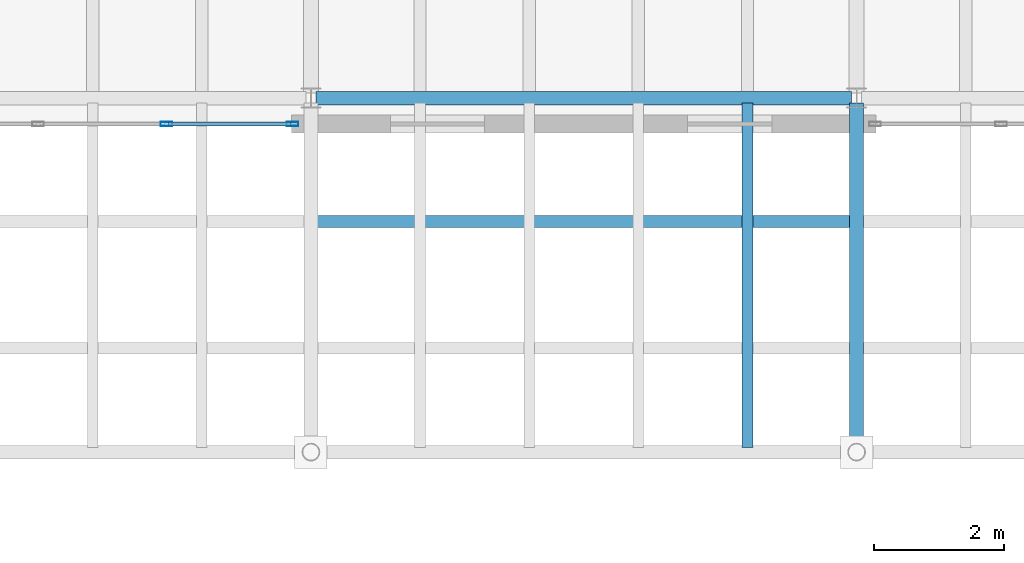
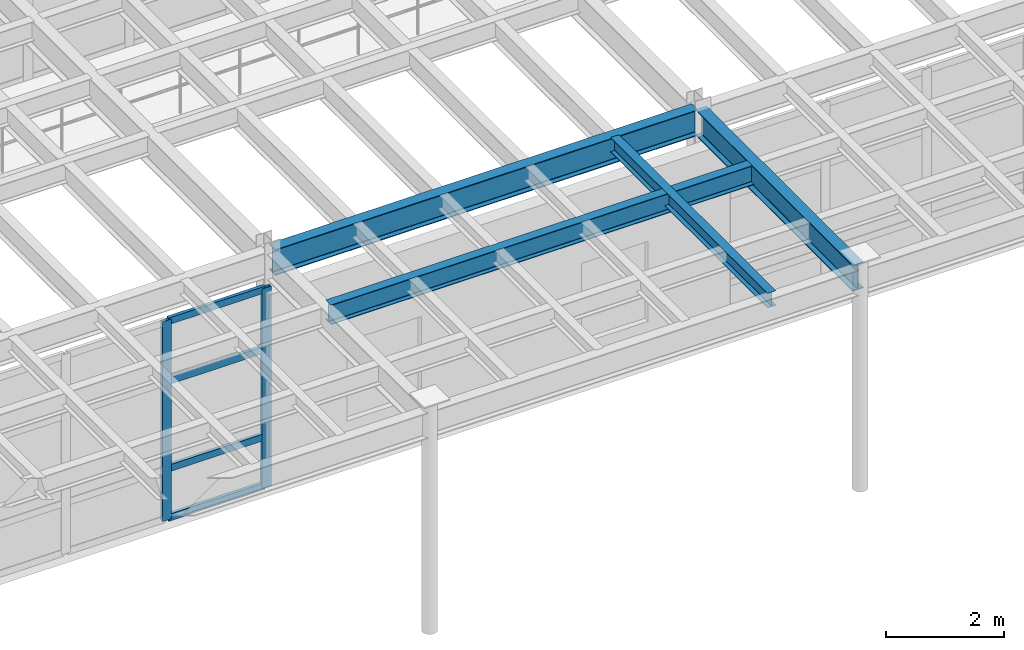
# One storey, part 26 of 105: 6 members, 4 beams, 1 element without a shape of its own.
"""IFC4 building model written with IfcOpenShell, lengths in metres."""

from ifc_helpers import new_model, si_unit, direction, frame, origin, origin_2d, place, context, subcontext, project, spatial, hollow_rectangle, i_section, extrude, material, layer, layer_set, material_profile, profile_set, type_object, element, aggregate, save


model = new_model("IFC4")

# Units and contexts
model_context = context("Model", 3, precision=1e-05, world=origin(), true_north=direction((0.0, 1.0)))
body_context = subcontext(model_context, "Body", "Model", "MODEL_VIEW")
ifc_project = project(units=[si_unit("LENGTHUNIT", "METRE"), si_unit("AREAUNIT", "SQUARE_METRE"), si_unit("VOLUMEUNIT", "CUBIC_METRE"), si_unit("PLANEANGLEUNIT", "RADIAN"), si_unit("MASSUNIT", "GRAM", prefix="KILO")], contexts=[model_context])

# Site, building, storey
site_placement = place(None, origin())
site = spatial("IfcSite", under=ifc_project, at=site_placement, CompositionType="ELEMENT")
building_placement = place(site_placement, origin())
building = spatial("IfcBuilding", under=site, at=building_placement, Name="Selat Folded Stagehouse", CompositionType="ELEMENT")
storey_placement = place(building_placement, frame((0.0, 0.0, 10.199951171875)))
storey = spatial("IfcBuildingStorey", under=building, at=storey_placement, Name="L02", CompositionType="ELEMENT", Elevation=10.199951171875)

# Beams
ifc_material_1 = material(Name="Steel S355", Category="steel")
ifc_material_profile_1 = material_profile(ifc_material_1, i_section(OverallWidth=0.210693359375, OverallDepth=0.53955078125, WebThickness=0.01171875, FlangeThickness=0.018798828125, FilletRadius=0.0126953125, at=origin_2d()), Name="UKB 533x210x109")
ifc_profile_set_1 = profile_set([ifc_material_profile_1], Name="Steel S355")
beam_type_1 = type_object("IfcBeamType", Name="BM-GIRD-533x210x109", PredefinedType="BEAM", material=ifc_profile_set_1)
beam_1_placement = place(storey_placement, frame((58.800048828125, 0.418212890625, 4.305419921875), z_axis=(0.0, 1.0, 0.0), x_axis=(-1.0, 0.0, 0.0)))
element("IfcBeam", 1, at=beam_1_placement, inside=storey, type_object=beam_type_1, Name="L02 primary y-girder 1053", PredefinedType="BEAM", context=body_context, shape_type="SweptSolid", body=[
    extrude(i_section(OverallWidth=0.210693359375, OverallDepth=0.53955078125, WebThickness=0.01171875, FlangeThickness=0.018798828125, FilletRadius=0.0126953125, at=origin_2d()), origin(), (0.0, 0.0, 1.0), 5.3046875),
])
ifc_material_profile_2 = material_profile(ifc_material_1, i_section(OverallWidth=0.209228515625, OverallDepth=0.533203125, WebThickness=0.010009765625, FlangeThickness=0.015625, FilletRadius=0.0126953125, at=origin_2d()), Name="UKB 533x210x92")
ifc_profile_set_2 = profile_set([ifc_material_profile_2], Name="Steel S355")
beam_type_2 = type_object("IfcBeamType", Name="BM-GIRD-533x210x92", PredefinedType="BEAM", material=ifc_profile_set_2)
beam_2_placement = place(storey_placement, frame((50.47705078125, 5.800048828125, 4.308349609375), z_axis=(1.0, 0.0, 0.0), x_axis=(0.0, 1.0, 0.0)))
element("IfcBeam", 2, at=beam_2_placement, inside=storey, type_object=beam_type_2, Name="L02 primary x-girder 0991", PredefinedType="BEAM", context=body_context, shape_type="SweptSolid", body=[
    extrude(i_section(OverallWidth=0.209228515625, OverallDepth=0.533203125, WebThickness=0.010009765625, FlangeThickness=0.015625, FilletRadius=0.0126953125, at=origin_2d()), origin(), (0.0, 0.0, 1.0), 8.245849609375),
])

# Curtain wall, members
ifc_material_2 = material(Name="Aluminium 6063-T6", Category="aluminium")
ifc_layer = layer(ifc_material_2, 0.2099609375)
ifc_layer_set = layer_set([ifc_layer], Name="Aluminium 6063-T6")
curtain_wall_type = type_object("IfcCurtainWallType", Name="CW-FYR-SOUTH", PredefinedType="NOTDEFINED", material=ifc_layer_set)
curtain_wall_placement = place(storey_placement, origin())
curtain_wall = element("IfcCurtainWall", 3, at=curtain_wall_placement, inside=storey, type_object=curtain_wall_type, Name="L02 curtain wall CW-FYR-L02-01", PredefinedType="NOTDEFINED")
ifc_material_profile_3 = material_profile(ifc_material_2, hollow_rectangle(XDim=0.06494140625, YDim=0.179931640625, WallThickness=0.00390625, at=origin_2d()), Name="ALU 180x65x4.0")
ifc_profile_set_3 = profile_set([ifc_material_profile_3], Name="Aluminium 6063-T6")
member_type_1 = type_object("IfcMemberType", Name="CWM-MUL-180x65", PredefinedType="MULLION", material=ifc_profile_set_3)
member_1_placement = place(storey_placement, frame((50.117431640625, 5.39990234375, 0.0), z_axis=(0.0, 0.0, 1.0), x_axis=(0.0, -1.0, 0.0)))
member_1 = element("IfcMember", 4, at=member_1_placement, type_object=member_type_1, Name="CW-04 mullion 1", PredefinedType="MULLION", context=body_context, shape_type="SweptSolid", body=[
    extrude(hollow_rectangle(XDim=0.06494140625, YDim=0.179931640625, WallThickness=0.00390625, at=origin_2d()), origin(), (0.0, 0.0, 1.0), 4.1201171875),
])
member_2_placement = place(storey_placement, frame((48.175048828125, 5.39990234375, 0.0), z_axis=(0.0, 0.0, 1.0), x_axis=(0.0, -1.0, 0.0)))
member_2 = element("IfcMember", 5, at=member_2_placement, type_object=member_type_1, Name="CW-04 mullion 2", PredefinedType="MULLION", context=body_context, shape_type="SweptSolid", body=[
    extrude(hollow_rectangle(XDim=0.06494140625, YDim=0.179931640625, WallThickness=0.00390625, at=origin_2d()), origin(), (0.0, 0.0, 1.0), 4.1201171875),
])
ifc_material_profile_4 = material_profile(ifc_material_2, hollow_rectangle(XDim=0.06494140625, YDim=0.139892578125, WallThickness=0.00390625, at=origin_2d()), Name="ALU 140x65x4.0")
ifc_profile_set_4 = profile_set([ifc_material_profile_4], Name="Aluminium 6063-T6")
member_type_2 = type_object("IfcMemberType", Name="CWM-TRN-140x65", PredefinedType="USERDEFINED", material=ifc_profile_set_4)
member_3_placement = place(storey_placement, frame((50.0849609375, 5.39990234375, 0.032470703125), z_axis=(-1.0, 0.0, 0.0), x_axis=(0.0, -1.0, 0.0)))
member_3 = element("IfcMember", 6, at=member_3_placement, type_object=member_type_2, Name="CW-04 transom 1.1", ObjectType="TRANSOM", PredefinedType="USERDEFINED", context=body_context, shape_type="SweptSolid", body=[
    extrude(hollow_rectangle(XDim=0.06494140625, YDim=0.139892578125, WallThickness=0.00390625, at=origin_2d()), origin(), (0.0, 0.0, 1.0), 1.87744140625),
])
member_4_placement = place(storey_placement, frame((50.0849609375, 5.39990234375, 1.050048828125), z_axis=(-1.0, 0.0, 0.0), x_axis=(0.0, -1.0, 0.0)))
member_4 = element("IfcMember", 7, at=member_4_placement, type_object=member_type_2, Name="CW-04 transom 1.2", ObjectType="TRANSOM", PredefinedType="USERDEFINED", context=body_context, shape_type="SweptSolid", body=[
    extrude(hollow_rectangle(XDim=0.06494140625, YDim=0.139892578125, WallThickness=0.00390625, at=origin_2d()), origin(), (0.0, 0.0, 1.0), 1.87744140625),
])
member_5_placement = place(storey_placement, frame((50.0849609375, 5.39990234375, 2.85009765625), z_axis=(-1.0, 0.0, 0.0), x_axis=(0.0, -1.0, 0.0)))
member_5 = element("IfcMember", 8, at=member_5_placement, type_object=member_type_2, Name="CW-04 transom 1.3", ObjectType="TRANSOM", PredefinedType="USERDEFINED", context=body_context, shape_type="SweptSolid", body=[
    extrude(hollow_rectangle(XDim=0.06494140625, YDim=0.139892578125, WallThickness=0.00390625, at=origin_2d()), origin(), (0.0, 0.0, 1.0), 1.87744140625),
])
member_6_placement = place(storey_placement, frame((50.0849609375, 5.39990234375, 4.087646484375), z_axis=(-1.0, 0.0, 0.0), x_axis=(0.0, -1.0, 0.0)))
member_6 = element("IfcMember", 9, at=member_6_placement, type_object=member_type_2, Name="CW-04 transom 1.4", ObjectType="TRANSOM", PredefinedType="USERDEFINED", context=body_context, shape_type="SweptSolid", body=[
    extrude(hollow_rectangle(XDim=0.06494140625, YDim=0.139892578125, WallThickness=0.00390625, at=origin_2d()), origin(), (0.0, 0.0, 1.0), 1.87744140625),
])
aggregate(curtain_wall, [member_1, member_2, member_3, member_4, member_5, member_6])

# Beams
ifc_material_profile_5 = material_profile(ifc_material_1, i_section(OverallWidth=0.1650390625, OverallDepth=0.303466796875, WebThickness=0.006103515625, FlangeThickness=0.01025390625, FilletRadius=0.0087890625, at=origin_2d()), Name="UKB 305x165x40")
ifc_profile_set_5 = profile_set([ifc_material_profile_5], Name="Steel S355")
beam_type_3 = type_object("IfcBeamType", Name="JST-305x165x40", PredefinedType="JOIST", material=ifc_profile_set_5)
beam_3_placement = place(storey_placement, frame((57.1201171875, 0.42333984375, 4.42333984375), z_axis=(0.0, 1.0, 0.0), x_axis=(-1.0, 0.0, 0.0)))
element("IfcBeam", 10, at=beam_3_placement, inside=storey, type_object=beam_type_3, Name="L02 secondary floor joist 1130", PredefinedType="JOIST", context=body_context, shape_type="SweptSolid", body=[
    extrude(i_section(OverallWidth=0.1650390625, OverallDepth=0.303466796875, WebThickness=0.006103515625, FlangeThickness=0.01025390625, FilletRadius=0.0087890625, at=origin_2d()), origin(), (0.0, 0.0, 1.0), 5.303466796875),
])
ifc_material_profile_6 = material_profile(ifc_material_1, i_section(OverallWidth=0.177978515625, OverallDepth=0.406494140625, WebThickness=0.0078125, FlangeThickness=0.0126953125, FilletRadius=0.01025390625, at=origin_2d()), Name="UKB 406x178x60")
ifc_profile_set_6 = profile_set([ifc_material_profile_6], Name="Steel S355")
beam_type_4 = type_object("IfcBeamType", Name="JST-406x178x60", PredefinedType="JOIST", material=ifc_profile_set_6)
beam_4_placement = place(storey_placement, frame((50.473876953125, 3.89990234375, 4.371826171875), z_axis=(1.0, 0.0, 0.0), x_axis=(0.0, 1.0, 0.0)))
element("IfcBeam", 11, at=beam_4_placement, inside=storey, type_object=beam_type_4, Name="L02 secondary x-joist 1209", PredefinedType="JOIST", context=body_context, shape_type="SweptSolid", body=[
    extrude(i_section(OverallWidth=0.177978515625, OverallDepth=0.406494140625, WebThickness=0.0078125, FlangeThickness=0.0126953125, FilletRadius=0.01025390625, at=origin_2d()), origin(), (0.0, 0.0, 1.0), 8.25244140625),
])

save(model, "model.ifc")
